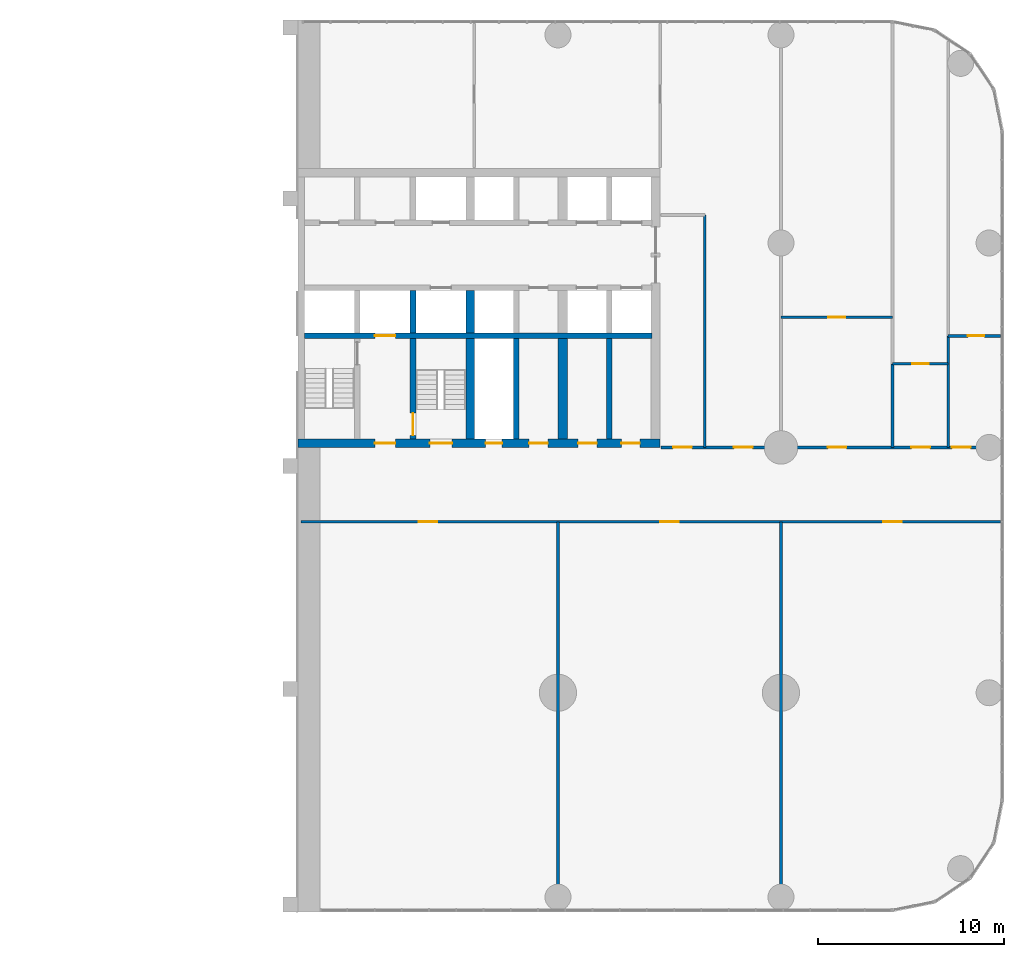
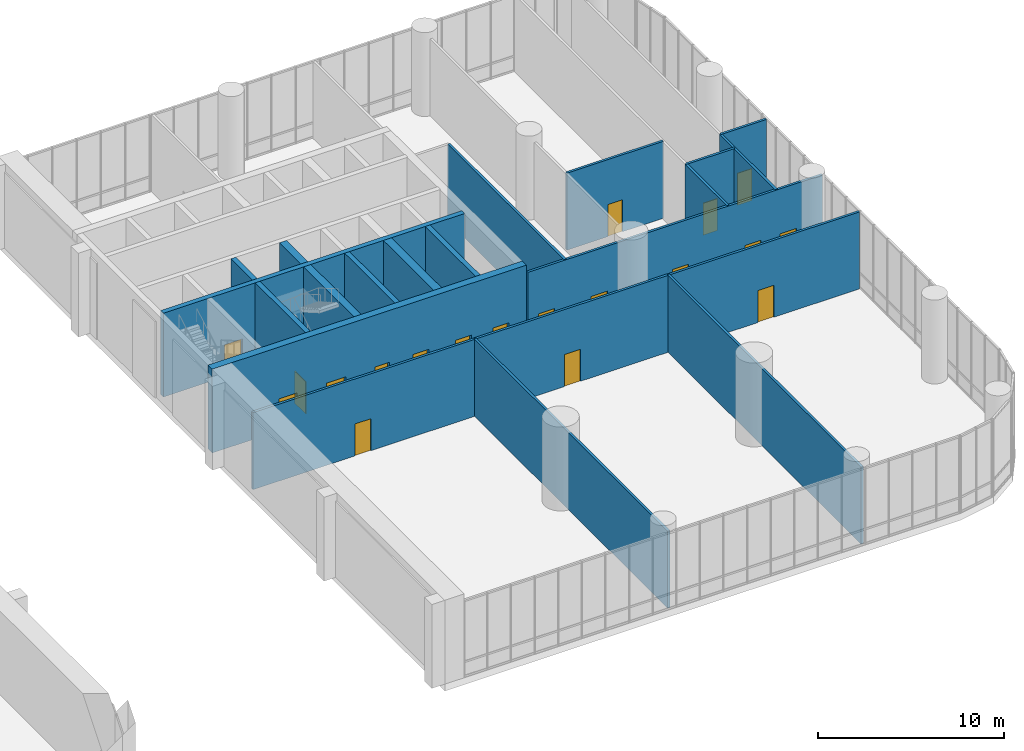
# One storey, part 24 of 28: 19 doors, 19 walls, 19 openings.
"""IFC4 building model written with IfcOpenShell, lengths in metres."""

from ifc_helpers import new_model, si_unit, direction, frame, frame_2d, origin, place, context, subcontext, project, spatial, rectangle, extrude, material, layer, layer_set, type_object, element, fill, save


model = new_model("IFC4")

# Units and contexts
model_context = context("Model", 3, precision=1e-05, world=origin(), true_north=direction((0.0, 1.0)))
body_context = subcontext(model_context, "Body", "Model", "MODEL_VIEW")
ifc_project = project(units=[si_unit("LENGTHUNIT", "METRE"), si_unit("AREAUNIT", "SQUARE_METRE"), si_unit("VOLUMEUNIT", "CUBIC_METRE"), si_unit("PLANEANGLEUNIT", "RADIAN"), si_unit("MASSUNIT", "GRAM", prefix="KILO")], contexts=[model_context])

# Site, building, storey
site_placement = place(None, origin())
site = spatial("IfcSite", under=ifc_project, at=site_placement, CompositionType="ELEMENT")
building_placement = place(site_placement, origin())
building = spatial("IfcBuilding", under=site, at=building_placement, Name="Torana Hotel and Residences", CompositionType="ELEMENT")
storey_placement = place(building_placement, frame((0.0, 0.0, 7.0)))
storey = spatial("IfcBuildingStorey", under=building, at=storey_placement, Name="L01", CompositionType="ELEMENT", Elevation=7.0)

# Wall, opening, door
ifc_material_1 = material(Name="Concrete C80/95", Category="concrete")
ifc_layer_1 = layer(ifc_material_1, 0.300048828125)
ifc_layer_set_1 = layer_set([ifc_layer_1], Name="CORE WALL 300 C80/95")
wall_type_1 = type_object("IfcWallType", Name="CORE WALL 300 C80/95", PredefinedType="SHEAR", material=ifc_layer_set_1)
wall_1_placement = place(storey_placement, frame((10.35009765625, -9.0, 0.0), z_axis=(0.0, 0.0, 1.0), x_axis=(1.0, 0.0, 0.0)))
wall_1 = element("IfcWall", 1, at=wall_1_placement, inside=storey, type_object=wall_type_1, Name="Core wall E band", PredefinedType="SHEAR", context=body_context, shape_type="SweptSolid", body=[
    extrude(rectangle(XDim=18.699951171875, YDim=0.300048828125, at=frame_2d((9.35009765625, 0.0))), origin(), (0.0, 0.0, 1.0), 5.5),
])
opening_1_placement = place(wall_1_placement, frame((3.800048828125, 0.0, 0.0)))
opening_1 = element("IfcOpeningElement", 2, at=opening_1_placement, cuts=wall_1, Name="Opening LD", PredefinedType="OPENING", context=body_context, shape_type="SweptSolid", body=[
    extrude(rectangle(XDim=1.10009765625, YDim=2.10009765625, at=frame_2d((0.550048828125, 1.050048828125))), frame((0.0, 0.159912109375, 0.0), z_axis=(0.0, -1.0, 0.0), x_axis=(1.0, 0.0, 0.0)), (0.0, 0.0, 1.0), 0.320068359375),
])
ifc_material_2 = material(Name="Stainless steel 316", Category="steel")
door_type_1 = type_object("IfcDoorType", Name="LIFT LANDING DOOR LD 1100x2100", OperationType="DOUBLE_DOOR_SLIDING", PredefinedType="USERDEFINED", material=ifc_material_2)
door_1_placement = place(opening_1_placement, origin())
door_1 = element("IfcDoor", 3, at=door_1_placement, inside=storey, type_object=door_type_1, Name="Lift landing door FF2 L01", ObjectType="LIFT LANDING DOOR", OperationType="DOUBLE_DOOR_SLIDING", OverallHeight=2.10009765625, OverallWidth=1.10009765625, PredefinedType="USERDEFINED", context=body_context, shape_type="SweptSolid", body=[
    extrude(rectangle(XDim=1.10009765625, YDim=2.10009765625, at=frame_2d((0.550048828125, 1.050048828125))), frame((0.0, 0.02490234375, 0.0), z_axis=(0.0, -1.0, 0.0), x_axis=(1.0, 0.0, 0.0)), (0.0, 0.0, 1.0), 0.050048828125),
])
fill(opening_1, door_1)

# Wall
wall_2_placement = place(storey_placement, frame((16.199951171875, -8.85009765625, 0.0), z_axis=(0.0, 0.0, 1.0), x_axis=(0.0, 1.0, 0.0)))
element("IfcWall", 4, at=wall_2_placement, inside=storey, type_object=wall_type_1, Name="Core wall E x6.05-S", PredefinedType="SHEAR", context=body_context, shape_type="SweptSolid", body=[
    extrude(rectangle(XDim=2.300048828125, YDim=0.300048828125, at=frame_2d((1.14990234375, 0.0))), origin(), (0.0, 0.0, 1.0), 5.5),
])

# Wall, opening, door
wall_3_placement = place(storey_placement, frame((16.199951171875, -14.550048828125, 0.0), z_axis=(0.0, 0.0, 1.0), x_axis=(0.0, 1.0, 0.0)))
wall_3 = element("IfcWall", 5, at=wall_3_placement, inside=storey, type_object=wall_type_1, Name="Core wall E x6.05-band", PredefinedType="SHEAR", context=body_context, shape_type="SweptSolid", body=[
    extrude(rectangle(XDim=5.400146484375, YDim=0.300048828125, at=frame_2d((2.7001953125, 0.0))), origin(), (0.0, 0.0, 1.0), 5.5),
])
opening_2_placement = place(wall_3_placement, frame((0.199951171875, 0.0, 0.0)))
opening_2 = element("IfcOpeningElement", 6, at=opening_2_placement, cuts=wall_3, Name="Opening L01-30", PredefinedType="OPENING", context=body_context, shape_type="SweptSolid", body=[
    extrude(rectangle(XDim=1.199951171875, YDim=2.10009765625, at=frame_2d((0.60009765625, 1.050048828125))), frame((0.0, 0.159912109375, 0.0), z_axis=(0.0, -1.0, 0.0), x_axis=(1.0, 0.0, 0.0)), (0.0, 0.0, 1.0), 0.320068359375),
])
ifc_material_3 = material(Name="Steel S235", Category="steel")
door_type_2 = type_object("IfcDoorType", Name="STAIR FIRE DOOR D3 1200x2100", OperationType="SINGLE_SWING_LEFT", PredefinedType="DOOR", material=ifc_material_3)
door_2_placement = place(opening_2_placement, frame((0.60009765625, 0.0, 0.0), z_axis=(0.0, 0.0, 1.0), x_axis=(-1.0, 0.0, 0.0)))
door_2 = element("IfcDoor", 7, at=door_2_placement, inside=storey, type_object=door_type_2, Name="Stair-B-lobby door L01", OperationType="SINGLE_SWING_LEFT", OverallHeight=2.10009765625, OverallWidth=1.199951171875, PredefinedType="DOOR", context=body_context, shape_type="SweptSolid", body=[
    extrude(rectangle(XDim=1.199951171875, YDim=2.10009765625, at=frame_2d((0.0, 1.050048828125))), frame((0.0, -0.02490234375, 0.0), z_axis=(0.0, 1.0, 0.0), x_axis=(-1.0, 0.0, 0.0)), (0.0, 0.0, 1.0), 0.050048828125),
])
fill(opening_2, door_2)

# Walls
for number, where, z_axis, x_axis, name in (
    (8, (21.75, -14.550048828125, 0.0), (0.0, 0.0, 1.0), (0.0, 1.0, 0.0), "Core wall E mm-band"),
    (9, (26.75, -14.550048828125, 0.0), (0.0, 0.0, 1.0), (0.0, 1.0, 0.0), "Core wall E ll-band"),
):
    element("IfcWall", number, at=place(storey_placement, frame(where, z_axis=z_axis, x_axis=x_axis)), inside=storey, type_object=wall_type_1, Name=name, PredefinedType="SHEAR", context=body_context, shape_type="SweptSolid", body=[
        extrude(rectangle(XDim=5.400146484375, YDim=0.300048828125, at=frame_2d((2.7001953125, 0.0))), origin(), (0.0, 0.0, 1.0), 5.5),
    ])

# Wall, openings, doors
ifc_material_4 = material(Name="Concrete C80/95", Category="concrete")
ifc_layer_2 = layer(ifc_material_4, 0.449951171875)
ifc_layer_set_2 = layer_set([ifc_layer_2], Name="CORE WALL 450 C80/95")
wall_type_2 = type_object("IfcWallType", Name="CORE WALL 450 C80/95", PredefinedType="SHEAR", material=ifc_layer_set_2)
wall_4_placement = place(storey_placement, frame((10.0, -14.77490234375, 0.0), z_axis=(0.0, 0.0, 1.0), x_axis=(1.0, 0.0, 0.0)))
wall_4 = element("IfcWall", 10, at=wall_4_placement, inside=storey, type_object=wall_type_2, Name="Core wall E front", PredefinedType="SHEAR", context=body_context, shape_type="SweptSolid", body=[
    extrude(rectangle(XDim=19.5, YDim=0.449951171875, at=frame_2d((9.75, 0.0))), origin(), (0.0, 0.0, 1.0), 5.5),
])
opening_3_placement = place(wall_4_placement, frame((7.10009765625, 0.0, 0.0)))
opening_3 = element("IfcOpeningElement", 11, at=opening_3_placement, cuts=wall_4, Name="Opening L01-18", PredefinedType="OPENING", context=body_context, shape_type="SweptSolid", body=[
    extrude(rectangle(XDim=1.199951171875, YDim=2.10009765625, at=frame_2d((0.60009765625, 1.050048828125))), frame((0.0, 0.23486328125, 0.0), z_axis=(0.0, -1.0, 0.0), x_axis=(1.0, 0.0, 0.0)), (0.0, 0.0, 1.0), 0.469970703125),
])
opening_4_placement = place(wall_4_placement, frame((4.14990234375, 0.0, 0.0)))
opening_4 = element("IfcOpeningElement", 12, at=opening_4_placement, cuts=wall_4, Name="Opening L01-19", PredefinedType="OPENING", context=body_context, shape_type="SweptSolid", body=[
    extrude(rectangle(XDim=1.10009765625, YDim=2.10009765625, at=frame_2d((0.550048828125, 1.050048828125))), frame((0.0, 0.23486328125, 0.0), z_axis=(0.0, -1.0, 0.0), x_axis=(1.0, 0.0, 0.0)), (0.0, 0.0, 1.0), 0.469970703125),
])
opening_5_placement = place(wall_4_placement, frame((10.10009765625, 0.0, 0.0)))
opening_5 = element("IfcOpeningElement", 13, at=opening_5_placement, cuts=wall_4, Name="Opening L01-20", PredefinedType="OPENING", context=body_context, shape_type="SweptSolid", body=[
    extrude(rectangle(XDim=0.89990234375, YDim=2.10009765625, at=frame_2d((0.449951171875, 1.050048828125))), frame((0.0, 0.23486328125, 0.0), z_axis=(0.0, -1.0, 0.0), x_axis=(1.0, 0.0, 0.0)), (0.0, 0.0, 1.0), 0.469970703125),
])
opening_6_placement = place(wall_4_placement, frame((12.449951171875, 0.0, 0.0)))
opening_6 = element("IfcOpeningElement", 14, at=opening_6_placement, cuts=wall_4, Name="Opening L01-21", PredefinedType="OPENING", context=body_context, shape_type="SweptSolid", body=[
    extrude(rectangle(XDim=1.0, YDim=2.10009765625, at=frame_2d((0.5, 1.050048828125))), frame((0.0, 0.23486328125, 0.0), z_axis=(0.0, -1.0, 0.0), x_axis=(1.0, 0.0, 0.0)), (0.0, 0.0, 1.0), 0.469970703125),
])
opening_7_placement = place(wall_4_placement, frame((15.08740234375, 0.0, 0.0)))
opening_7 = element("IfcOpeningElement", 15, at=opening_7_placement, cuts=wall_4, Name="Opening L01-22", PredefinedType="OPENING", context=body_context, shape_type="SweptSolid", body=[
    extrude(rectangle(XDim=1.0, YDim=2.10009765625, at=frame_2d((0.5, 1.050048828125))), frame((0.0, 0.23486328125, 0.0), z_axis=(0.0, -1.0, 0.0), x_axis=(1.0, 0.0, 0.0)), (0.0, 0.0, 1.0), 0.469970703125),
])
opening_8_placement = place(wall_4_placement, frame((17.41259765625, 0.0, 0.0)))
opening_8 = element("IfcOpeningElement", 16, at=opening_8_placement, cuts=wall_4, Name="Opening L01-23", PredefinedType="OPENING", context=body_context, shape_type="SweptSolid", body=[
    extrude(rectangle(XDim=1.0, YDim=2.10009765625, at=frame_2d((0.5, 1.050048828125))), frame((0.0, 0.23486328125, 0.0), z_axis=(0.0, -1.0, 0.0), x_axis=(1.0, 0.0, 0.0)), (0.0, 0.0, 1.0), 0.469970703125),
])
ifc_material_5 = material(Name="Steel S235", Category="steel")
door_type_3 = type_object("IfcDoorType", Name="CORE ROOM FIRE DOOR D14 1000x2100", OperationType="SINGLE_SWING_LEFT", PredefinedType="DOOR", material=ifc_material_5)
door_3_placement = place(opening_6_placement, origin())
door_3 = element("IfcDoor", 17, at=door_3_placement, inside=storey, type_object=door_type_3, Name="M-Room door L01", OperationType="SINGLE_SWING_RIGHT", OverallHeight=2.10009765625, OverallWidth=1.0, PredefinedType="DOOR", context=body_context, shape_type="SweptSolid", body=[
    extrude(rectangle(XDim=1.0, YDim=2.10009765625, at=frame_2d((0.5, 1.050048828125))), frame((0.0, 0.02490234375, 0.0), z_axis=(0.0, -1.0, 0.0), x_axis=(1.0, 0.0, 0.0)), (0.0, 0.0, 1.0), 0.050048828125),
])
fill(opening_6, door_3)
door_4_placement = place(opening_7_placement, origin())
door_4 = element("IfcDoor", 18, at=door_4_placement, inside=storey, type_object=door_type_3, Name="L-A door L01", OperationType="SINGLE_SWING_RIGHT", OverallHeight=2.10009765625, OverallWidth=1.0, PredefinedType="DOOR", context=body_context, shape_type="SweptSolid", body=[
    extrude(rectangle(XDim=1.0, YDim=2.10009765625, at=frame_2d((0.5, 1.050048828125))), frame((0.0, 0.02490234375, 0.0), z_axis=(0.0, -1.0, 0.0), x_axis=(1.0, 0.0, 0.0)), (0.0, 0.0, 1.0), 0.050048828125),
])
fill(opening_7, door_4)
door_5_placement = place(opening_8_placement, origin())
door_5 = element("IfcDoor", 19, at=door_5_placement, inside=storey, type_object=door_type_3, Name="L-B door L01", OperationType="SINGLE_SWING_RIGHT", OverallHeight=2.10009765625, OverallWidth=1.0, PredefinedType="DOOR", context=body_context, shape_type="SweptSolid", body=[
    extrude(rectangle(XDim=1.0, YDim=2.10009765625, at=frame_2d((0.5, 1.050048828125))), frame((0.0, 0.02490234375, 0.0), z_axis=(0.0, -1.0, 0.0), x_axis=(1.0, 0.0, 0.0)), (0.0, 0.0, 1.0), 0.050048828125),
])
fill(opening_8, door_5)
ifc_material_6 = material(Name="Steel S235", Category="steel")
door_type_4 = type_object("IfcDoorType", Name="FIRE-FIGHTING LOBBY DOOR D8 1100x2100", OperationType="SINGLE_SWING_LEFT", PredefinedType="DOOR", material=ifc_material_6)
door_6_placement = place(opening_4_placement, origin())
door_6 = element("IfcDoor", 20, at=door_6_placement, inside=storey, type_object=door_type_4, Name="FF-lobby door L01", OperationType="SINGLE_SWING_RIGHT", OverallHeight=2.10009765625, OverallWidth=1.10009765625, PredefinedType="DOOR", context=body_context, shape_type="SweptSolid", body=[
    extrude(rectangle(XDim=1.10009765625, YDim=2.10009765625, at=frame_2d((0.550048828125, 1.050048828125))), frame((0.0, 0.02490234375, 0.0), z_axis=(0.0, -1.0, 0.0), x_axis=(1.0, 0.0, 0.0)), (0.0, 0.0, 1.0), 0.050048828125),
])
fill(opening_4, door_6)
ifc_material_7 = material(Name="Steel S235", Category="steel")
door_type_5 = type_object("IfcDoorType", Name="RISER ACCESS DOOR D5 900x2100", OperationType="SINGLE_SWING_LEFT", PredefinedType="DOOR", material=ifc_material_7)
door_7_placement = place(opening_5_placement, origin())
door_7 = element("IfcDoor", 21, at=door_7_placement, inside=storey, type_object=door_type_5, Name="M-Riser door L01", OperationType="SINGLE_SWING_RIGHT", OverallHeight=2.10009765625, OverallWidth=0.89990234375, PredefinedType="DOOR", context=body_context, shape_type="SweptSolid", body=[
    extrude(rectangle(XDim=0.89990234375, YDim=2.10009765625, at=frame_2d((0.449951171875, 1.050048828125))), frame((0.0, 0.02490234375, 0.0), z_axis=(0.0, -1.0, 0.0), x_axis=(1.0, 0.0, 0.0)), (0.0, 0.0, 1.0), 0.050048828125),
])
fill(opening_5, door_7)
door_8_placement = place(opening_3_placement, origin())
door_8 = element("IfcDoor", 22, at=door_8_placement, inside=storey, type_object=door_type_2, Name="Stair-B door L01", OperationType="SINGLE_SWING_RIGHT", OverallHeight=2.10009765625, OverallWidth=1.199951171875, PredefinedType="DOOR", context=body_context, shape_type="SweptSolid", body=[
    extrude(rectangle(XDim=1.199951171875, YDim=2.10009765625, at=frame_2d((0.60009765625, 1.050048828125))), frame((0.0, 0.02490234375, 0.0), z_axis=(0.0, -1.0, 0.0), x_axis=(1.0, 0.0, 0.0)), (0.0, 0.0, 1.0), 0.050048828125),
])
fill(opening_3, door_8)

# Walls
wall_5_placement = place(storey_placement, frame((19.27490234375, -8.85009765625, 0.0), z_axis=(0.0, 0.0, 1.0), x_axis=(0.0, 1.0, 0.0)))
element("IfcWall", 23, at=wall_5_placement, inside=storey, type_object=wall_type_2, Name="Core wall E hm-S", PredefinedType="SHEAR", context=body_context, shape_type="SweptSolid", body=[
    extrude(rectangle(XDim=2.300048828125, YDim=0.449951171875, at=frame_2d((1.14990234375, 0.0))), origin(), (0.0, 0.0, 1.0), 5.5),
])
wall_6_placement = place(storey_placement, frame((19.27490234375, -14.550048828125, 0.0), z_axis=(0.0, 0.0, 1.0), x_axis=(0.0, 1.0, 0.0)))
element("IfcWall", 24, at=wall_6_placement, inside=storey, type_object=wall_type_2, Name="Core wall E hm-band", PredefinedType="SHEAR", context=body_context, shape_type="SweptSolid", body=[
    extrude(rectangle(XDim=5.400146484375, YDim=0.449951171875, at=frame_2d((2.7001953125, 0.0))), origin(), (0.0, 0.0, 1.0), 5.5),
])
ifc_material_8 = material(Name="Concrete C80/95", Category="concrete")
ifc_layer_3 = layer(ifc_material_8, 0.5)
ifc_layer_set_3 = layer_set([ifc_layer_3], Name="CORE WALL 500 C80/95")
wall_type_3 = type_object("IfcWallType", Name="CORE WALL 500 C80/95", PredefinedType="SHEAR", material=ifc_layer_set_3)
wall_7_placement = place(storey_placement, frame((24.25, -14.550048828125, 0.0), z_axis=(0.0, 0.0, 1.0), x_axis=(0.0, 1.0, 0.0)))
element("IfcWall", 25, at=wall_7_placement, inside=storey, type_object=wall_type_3, Name="Core wall E ml-band", PredefinedType="SHEAR", context=body_context, shape_type="SweptSolid", body=[
    extrude(rectangle(XDim=5.400146484375, YDim=0.5, at=frame_2d((2.7001953125, 0.0))), origin(), (0.0, 0.0, 1.0), 5.5),
])
ifc_material_9 = material(Name="Gypsum plaster")
ifc_layer_4 = layer(ifc_material_9, 0.014892578125, Name="Plaster", Category="finish")
ifc_material_10 = material(Name="Concrete blockwork", Category="masonry")
ifc_layer_5 = layer(ifc_material_10, 0.1201171875, Name="Blockwork", Category="structure")
ifc_layer_6 = layer(ifc_material_9, 0.014892578125, Name="Plaster", Category="finish")
ifc_layer_set_4 = layer_set([ifc_layer_4, ifc_layer_5, ifc_layer_6], Name="FIRE PARTITION 150 BLOCKWORK")
wall_type_4 = type_object("IfcWallType", Name="FIRE PARTITION 150 BLOCKWORK", PredefinedType="PARTITIONING", material=ifc_layer_set_4)
wall_8_placement = place(storey_placement, frame((31.89990234375, -15.0, 0.0), z_axis=(0.0, 0.0, 1.0), x_axis=(0.0, 1.0, 0.0)))
element("IfcWall", 26, at=wall_8_placement, inside=storey, type_object=wall_type_4, Name="Partition L01", PredefinedType="PARTITIONING", context=body_context, shape_type="SweptSolid", body=[
    extrude(rectangle(XDim=12.5, YDim=0.14990234375, at=frame_2d((6.25, 0.0))), origin(), (0.0, 0.0, 1.0), 5.050048828125),
])

# Wall, openings, doors
wall_9_placement = place(storey_placement, frame((10.179931640625, -19.0, 0.0), z_axis=(0.0, 0.0, 1.0), x_axis=(1.0, 0.0, 0.0)))
wall_9 = element("IfcWall", 27, at=wall_9_placement, inside=storey, type_object=wall_type_4, Name="Partition L01", PredefinedType="PARTITIONING", context=body_context, shape_type="SweptSolid", body=[
    extrude(rectangle(XDim=37.64013671875, YDim=0.14990234375, at=frame_2d((18.820068359375, 0.0))), origin(), (0.0, 0.0, 1.0), 5.050048828125),
])
opening_9_placement = place(wall_9_placement, frame((31.320068359375, 0.0, 0.0)))
opening_9 = element("IfcOpeningElement", 28, at=opening_9_placement, cuts=wall_9, Name="Opening L01-31", PredefinedType="OPENING", context=body_context, shape_type="SweptSolid", body=[
    extrude(rectangle(XDim=1.0, YDim=2.10009765625, at=frame_2d((0.5, 1.050048828125))), frame((0.0, 0.0849609375, 0.0), z_axis=(0.0, -1.0, 0.0), x_axis=(1.0, 0.0, 0.0)), (0.0, 0.0, 1.0), 0.169921875),
])
opening_10_placement = place(wall_9_placement, frame((19.320068359375, 0.0, 0.0)))
opening_10 = element("IfcOpeningElement", 29, at=opening_10_placement, cuts=wall_9, Name="Opening L01-32", PredefinedType="OPENING", context=body_context, shape_type="SweptSolid", body=[
    extrude(rectangle(XDim=1.0, YDim=2.10009765625, at=frame_2d((0.5, 1.050048828125))), frame((0.0, 0.0849609375, 0.0), z_axis=(0.0, -1.0, 0.0), x_axis=(1.0, 0.0, 0.0)), (0.0, 0.0, 1.0), 0.169921875),
])
opening_11_placement = place(wall_9_placement, frame((6.320068359375, 0.0, 0.0)))
opening_11 = element("IfcOpeningElement", 30, at=opening_11_placement, cuts=wall_9, Name="Opening L01-33", PredefinedType="OPENING", context=body_context, shape_type="SweptSolid", body=[
    extrude(rectangle(XDim=1.0, YDim=2.10009765625, at=frame_2d((0.5, 1.050048828125))), frame((0.0, 0.0849609375, 0.0), z_axis=(0.0, -1.0, 0.0), x_axis=(1.0, 0.0, 0.0)), (0.0, 0.0, 1.0), 0.169921875),
])
ifc_material_11 = material(Name="Steel S235", Category="steel")
door_type_6 = type_object("IfcDoorType", Name="ENTRY FIRE DOOR D6 1000x2100", OperationType="SINGLE_SWING_LEFT", PredefinedType="DOOR", material=ifc_material_11)
door_9_placement = place(opening_9_placement, frame((0.5, 0.0, 0.0), z_axis=(0.0, 0.0, 1.0), x_axis=(-1.0, 0.0, 0.0)))
door_9 = element("IfcDoor", 31, at=door_9_placement, inside=storey, type_object=door_type_6, Name="Door L01", OperationType="SINGLE_SWING_LEFT", OverallHeight=2.10009765625, OverallWidth=1.0, PredefinedType="DOOR", context=body_context, shape_type="SweptSolid", body=[
    extrude(rectangle(XDim=1.0, YDim=2.10009765625, at=frame_2d((0.0, 1.050048828125))), frame((0.0, -0.02490234375, 0.0), z_axis=(0.0, 1.0, 0.0), x_axis=(-1.0, 0.0, 0.0)), (0.0, 0.0, 1.0), 0.050048828125),
])
fill(opening_9, door_9)
door_10_placement = place(opening_10_placement, frame((0.5, 0.0, 0.0), z_axis=(0.0, 0.0, 1.0), x_axis=(-1.0, 0.0, 0.0)))
door_10 = element("IfcDoor", 32, at=door_10_placement, inside=storey, type_object=door_type_6, Name="Door L01", OperationType="SINGLE_SWING_LEFT", OverallHeight=2.10009765625, OverallWidth=1.0, PredefinedType="DOOR", context=body_context, shape_type="SweptSolid", body=[
    extrude(rectangle(XDim=1.0, YDim=2.10009765625, at=frame_2d((0.0, 1.050048828125))), frame((0.0, -0.02490234375, 0.0), z_axis=(0.0, 1.0, 0.0), x_axis=(-1.0, 0.0, 0.0)), (0.0, 0.0, 1.0), 0.050048828125),
])
fill(opening_10, door_10)
door_11_placement = place(opening_11_placement, frame((0.5, 0.0, 0.0), z_axis=(0.0, 0.0, 1.0), x_axis=(-1.0, 0.0, 0.0)))
door_11 = element("IfcDoor", 33, at=door_11_placement, inside=storey, type_object=door_type_6, Name="Door L01", OperationType="SINGLE_SWING_LEFT", OverallHeight=2.10009765625, OverallWidth=1.0, PredefinedType="DOOR", context=body_context, shape_type="SweptSolid", body=[
    extrude(rectangle(XDim=1.0, YDim=2.10009765625, at=frame_2d((0.0, 1.050048828125))), frame((0.0, -0.02490234375, 0.0), z_axis=(0.0, 1.0, 0.0), x_axis=(-1.0, 0.0, 0.0)), (0.0, 0.0, 1.0), 0.050048828125),
])
fill(opening_11, door_11)

wall_10_placement = place(storey_placement, frame((29.550048828125, -15.0, 0.0), z_axis=(0.0, 0.0, 1.0), x_axis=(1.0, 0.0, 0.0)))
wall_10 = element("IfcWall", 34, at=wall_10_placement, inside=storey, type_object=wall_type_4, Name="Partition L01", PredefinedType="PARTITIONING", context=body_context, shape_type="SweptSolid", body=[
    extrude(rectangle(XDim=18.27001953125, YDim=0.14990234375, at=frame_2d((9.135009765625, 0.0))), origin(), (0.0, 0.0, 1.0), 5.050048828125),
])
opening_12_placement = place(wall_10_placement, frame((15.64990234375, 0.0, 0.0)))
opening_12 = element("IfcOpeningElement", 35, at=opening_12_placement, cuts=wall_10, Name="Opening L01-34", PredefinedType="OPENING", context=body_context, shape_type="SweptSolid", body=[
    extrude(rectangle(XDim=1.0, YDim=2.10009765625, at=frame_2d((0.5, 1.050048828125))), frame((0.0, 0.0849609375, 0.0), z_axis=(0.0, -1.0, 0.0), x_axis=(1.0, 0.0, 0.0)), (0.0, 0.0, 1.0), 0.169921875),
])
opening_13_placement = place(wall_10_placement, frame((13.469970703125, 0.0, 0.0)))
opening_13 = element("IfcOpeningElement", 36, at=opening_13_placement, cuts=wall_10, Name="Opening L01-35", PredefinedType="OPENING", context=body_context, shape_type="SweptSolid", body=[
    extrude(rectangle(XDim=1.0, YDim=2.10009765625, at=frame_2d((0.5, 1.050048828125))), frame((0.0, 0.0849609375, 0.0), z_axis=(0.0, -1.0, 0.0), x_axis=(1.0, 0.0, 0.0)), (0.0, 0.0, 1.0), 0.169921875),
])
opening_14_placement = place(wall_10_placement, frame((8.969970703125, 0.0, 0.0)))
opening_14 = element("IfcOpeningElement", 37, at=opening_14_placement, cuts=wall_10, Name="Opening L01-36", PredefinedType="OPENING", context=body_context, shape_type="SweptSolid", body=[
    extrude(rectangle(XDim=1.0, YDim=2.10009765625, at=frame_2d((0.5, 1.050048828125))), frame((0.0, 0.0849609375, 0.0), z_axis=(0.0, -1.0, 0.0), x_axis=(1.0, 0.0, 0.0)), (0.0, 0.0, 1.0), 0.169921875),
])
opening_15_placement = place(wall_10_placement, frame((3.919921875, 0.0, 0.0)))
opening_15 = element("IfcOpeningElement", 38, at=opening_15_placement, cuts=wall_10, Name="Opening L01-37", PredefinedType="OPENING", context=body_context, shape_type="SweptSolid", body=[
    extrude(rectangle(XDim=1.0, YDim=2.10009765625, at=frame_2d((0.5, 1.050048828125))), frame((0.0, 0.0849609375, 0.0), z_axis=(0.0, -1.0, 0.0), x_axis=(1.0, 0.0, 0.0)), (0.0, 0.0, 1.0), 0.169921875),
])
opening_16_placement = place(wall_10_placement, frame((0.64990234375, 0.0, 0.0)))
opening_16 = element("IfcOpeningElement", 39, at=opening_16_placement, cuts=wall_10, Name="Opening L01-38", PredefinedType="OPENING", context=body_context, shape_type="SweptSolid", body=[
    extrude(rectangle(XDim=1.0, YDim=2.10009765625, at=frame_2d((0.5, 1.050048828125))), frame((0.0, 0.0849609375, 0.0), z_axis=(0.0, -1.0, 0.0), x_axis=(1.0, 0.0, 0.0)), (0.0, 0.0, 1.0), 0.169921875),
])
door_12_placement = place(opening_12_placement, origin())
door_12 = element("IfcDoor", 40, at=door_12_placement, inside=storey, type_object=door_type_3, Name="Door L01", OperationType="SINGLE_SWING_RIGHT", OverallHeight=2.10009765625, OverallWidth=1.0, PredefinedType="DOOR", context=body_context, shape_type="SweptSolid", body=[
    extrude(rectangle(XDim=1.0, YDim=2.10009765625, at=frame_2d((0.5, 1.050048828125))), frame((0.0, 0.02490234375, 0.0), z_axis=(0.0, -1.0, 0.0), x_axis=(1.0, 0.0, 0.0)), (0.0, 0.0, 1.0), 0.050048828125),
])
fill(opening_12, door_12)
door_13_placement = place(opening_13_placement, origin())
door_13 = element("IfcDoor", 41, at=door_13_placement, inside=storey, type_object=door_type_3, Name="Door L01", OperationType="SINGLE_SWING_RIGHT", OverallHeight=2.10009765625, OverallWidth=1.0, PredefinedType="DOOR", context=body_context, shape_type="SweptSolid", body=[
    extrude(rectangle(XDim=1.0, YDim=2.10009765625, at=frame_2d((0.5, 1.050048828125))), frame((0.0, 0.02490234375, 0.0), z_axis=(0.0, -1.0, 0.0), x_axis=(1.0, 0.0, 0.0)), (0.0, 0.0, 1.0), 0.050048828125),
])
fill(opening_13, door_13)
door_14_placement = place(opening_14_placement, origin())
door_14 = element("IfcDoor", 42, at=door_14_placement, inside=storey, type_object=door_type_3, Name="Door L01", OperationType="SINGLE_SWING_RIGHT", OverallHeight=2.10009765625, OverallWidth=1.0, PredefinedType="DOOR", context=body_context, shape_type="SweptSolid", body=[
    extrude(rectangle(XDim=1.0, YDim=2.10009765625, at=frame_2d((0.5, 1.050048828125))), frame((0.0, 0.02490234375, 0.0), z_axis=(0.0, -1.0, 0.0), x_axis=(1.0, 0.0, 0.0)), (0.0, 0.0, 1.0), 0.050048828125),
])
fill(opening_14, door_14)
door_15_placement = place(opening_15_placement, origin())
door_15 = element("IfcDoor", 43, at=door_15_placement, inside=storey, type_object=door_type_3, Name="Door L01", OperationType="SINGLE_SWING_LEFT", OverallHeight=2.10009765625, OverallWidth=1.0, PredefinedType="DOOR", context=body_context, shape_type="SweptSolid", body=[
    extrude(rectangle(XDim=1.0, YDim=2.10009765625, at=frame_2d((0.5, 1.050048828125))), frame((0.0, 0.02490234375, 0.0), z_axis=(0.0, -1.0, 0.0), x_axis=(1.0, 0.0, 0.0)), (0.0, 0.0, 1.0), 0.050048828125),
])
fill(opening_15, door_15)
door_16_placement = place(opening_16_placement, origin())
door_16 = element("IfcDoor", 44, at=door_16_placement, inside=storey, type_object=door_type_6, Name="Door L01", OperationType="SINGLE_SWING_RIGHT", OverallHeight=2.10009765625, OverallWidth=1.0, PredefinedType="DOOR", context=body_context, shape_type="SweptSolid", body=[
    extrude(rectangle(XDim=1.0, YDim=2.10009765625, at=frame_2d((0.5, 1.050048828125))), frame((0.0, 0.02490234375, 0.0), z_axis=(0.0, -1.0, 0.0), x_axis=(1.0, 0.0, 0.0)), (0.0, 0.0, 1.0), 0.050048828125),
])
fill(opening_16, door_16)

# Walls
ifc_material_12 = material(Name="Gypsum plasterboard")
ifc_layer_7 = layer(ifc_material_12, 0.012451171875, Name="Plasterboard", Category="finish")
ifc_layer_8 = layer(ifc_material_12, 0.012451171875, Name="Plasterboard", Category="finish")
ifc_material_13 = material(Name="Steel S280GD", Category="steel")
ifc_layer_9 = layer(ifc_material_13, 0.10009765625, Name="Steel studs with mineral wool", Category="insulation")
ifc_layer_10 = layer(ifc_material_12, 0.012451171875, Name="Plasterboard", Category="finish")
ifc_layer_11 = layer(ifc_material_12, 0.012451171875, Name="Plasterboard", Category="finish")
ifc_layer_set_5 = layer_set([ifc_layer_7, ifc_layer_8, ifc_layer_9, ifc_layer_10, ifc_layer_11], Name="PARTITION 150 PLASTERBOARD")
wall_type_5 = type_object("IfcWallType", Name="PARTITION 150 PLASTERBOARD", PredefinedType="PARTITIONING", material=ifc_layer_set_5)
for number, where, z_axis, x_axis, name in (
    (45, (36.0, -39.820068359375, 0.0), (0.0, 0.0, 1.0), (0.0, 1.0, 0.0), "Partition L01"),
    (46, (24.0, -39.820068359375, 0.0), (0.0, 0.0, 1.0), (0.0, 1.0, 0.0), "Partition L01"),
):
    element("IfcWall", number, at=place(storey_placement, frame(where, z_axis=z_axis, x_axis=x_axis)), inside=storey, type_object=wall_type_5, Name=name, PredefinedType="PARTITIONING", context=body_context, shape_type="SweptSolid", body=[
        extrude(rectangle(XDim=20.820068359375, YDim=0.14990234375, at=frame_2d((10.41015625, 0.0))), origin(), (0.0, 0.0, 1.0), 5.050048828125),
    ])

# Wall, opening, door
wall_11_placement = place(storey_placement, frame((36.0, -8.0, 0.0), z_axis=(0.0, 0.0, 1.0), x_axis=(1.0, 0.0, 0.0)))
wall_11 = element("IfcWall", 47, at=wall_11_placement, inside=storey, type_object=wall_type_5, Name="Partition L01", PredefinedType="PARTITIONING", context=body_context, shape_type="SweptSolid", body=[
    extrude(rectangle(XDim=6.0, YDim=0.14990234375, at=frame_2d((3.0, 0.0))), origin(), (0.0, 0.0, 1.0), 5.050048828125),
])
opening_17_placement = place(wall_11_placement, frame((2.550048828125, 0.0, 0.0)))
opening_17 = element("IfcOpeningElement", 48, at=opening_17_placement, cuts=wall_11, Name="Opening L01-41", PredefinedType="OPENING", context=body_context, shape_type="SweptSolid", body=[
    extrude(rectangle(XDim=0.89990234375, YDim=2.10009765625, at=frame_2d((0.449951171875, 1.050048828125))), frame((0.0, 0.0849609375, 0.0), z_axis=(0.0, -1.0, 0.0), x_axis=(1.0, 0.0, 0.0)), (0.0, 0.0, 1.0), 0.169921875),
])
ifc_material_14 = material(Name="Timber door, oiled ash", Category="wood")
door_type_7 = type_object("IfcDoorType", Name="ROOM DOOR D7 900x2100", OperationType="SINGLE_SWING_LEFT", PredefinedType="DOOR", material=ifc_material_14)
door_17_placement = place(opening_17_placement, origin())
door_17 = element("IfcDoor", 49, at=door_17_placement, inside=storey, type_object=door_type_7, Name="Door L01", OperationType="SINGLE_SWING_RIGHT", OverallHeight=2.10009765625, OverallWidth=0.89990234375, PredefinedType="DOOR", context=body_context, shape_type="SweptSolid", body=[
    extrude(rectangle(XDim=0.89990234375, YDim=2.10009765625, at=frame_2d((0.449951171875, 1.050048828125))), frame((0.0, 0.02490234375, 0.0), z_axis=(0.0, -1.0, 0.0), x_axis=(1.0, 0.0, 0.0)), (0.0, 0.0, 1.0), 0.050048828125),
])
fill(opening_17, door_17)

# Walls
ifc_material_15 = material(Name="Ceramic tile on adhesive")
ifc_layer_12 = layer(ifc_material_15, 0.010009765625, Name="Wall tile", Category="finish")
ifc_material_16 = material(Name="Cement render")
ifc_layer_13 = layer(ifc_material_16, 0.010009765625, Name="Render", Category="finish")
ifc_layer_14 = layer(ifc_material_10, 0.110107421875, Name="Blockwork", Category="structure")
ifc_layer_15 = layer(ifc_material_16, 0.010009765625, Name="Render", Category="finish")
ifc_layer_16 = layer(ifc_material_15, 0.010009765625, Name="Wall tile", Category="finish")
ifc_layer_set_6 = layer_set([ifc_layer_12, ifc_layer_13, ifc_layer_14, ifc_layer_15, ifc_layer_16], Name="WC PARTITION 150")
wall_type_6 = type_object("IfcWallType", Name="WC PARTITION 150", PredefinedType="PLUMBINGWALL", material=ifc_layer_set_6)
wall_12_placement = place(storey_placement, frame((45.0, -15.0, 0.0), z_axis=(0.0, 0.0, 1.0), x_axis=(0.0, 1.0, 0.0)))
element("IfcWall", 50, at=wall_12_placement, inside=storey, type_object=wall_type_6, Name="Partition L01", PredefinedType="PLUMBINGWALL", context=body_context, shape_type="SweptSolid", body=[
    extrude(rectangle(XDim=6.0, YDim=0.14990234375, at=frame_2d((3.0, 0.0))), origin(), (0.0, 0.0, 1.0), 5.050048828125),
])
wall_13_placement = place(storey_placement, frame((42.0, -15.0, 0.0), z_axis=(0.0, 0.0, 1.0), x_axis=(0.0, 1.0, 0.0)))
element("IfcWall", 51, at=wall_13_placement, inside=storey, type_object=wall_type_6, Name="Partition L01", PredefinedType="PLUMBINGWALL", context=body_context, shape_type="SweptSolid", body=[
    extrude(rectangle(XDim=4.5, YDim=0.14990234375, at=frame_2d((2.25, 0.0))), origin(), (0.0, 0.0, 1.0), 5.050048828125),
])

# Wall, opening, door
wall_14_placement = place(storey_placement, frame((42.0, -10.5, 0.0), z_axis=(0.0, 0.0, 1.0), x_axis=(1.0, 0.0, 0.0)))
wall_14 = element("IfcWall", 52, at=wall_14_placement, inside=storey, type_object=wall_type_6, Name="Partition L01", PredefinedType="PLUMBINGWALL", context=body_context, shape_type="SweptSolid", body=[
    extrude(rectangle(XDim=3.0, YDim=0.14990234375, at=frame_2d((1.5, 0.0))), origin(), (0.0, 0.0, 1.0), 5.050048828125),
])
opening_18_placement = place(wall_14_placement, frame((1.050048828125, 0.0, 0.0)))
opening_18 = element("IfcOpeningElement", 53, at=opening_18_placement, cuts=wall_14, Name="Opening L01-40", PredefinedType="OPENING", context=body_context, shape_type="SweptSolid", body=[
    extrude(rectangle(XDim=0.89990234375, YDim=2.10009765625, at=frame_2d((0.449951171875, 1.050048828125))), frame((0.0, 0.0849609375, 0.0), z_axis=(0.0, -1.0, 0.0), x_axis=(1.0, 0.0, 0.0)), (0.0, 0.0, 1.0), 0.169921875),
])
door_18_placement = place(opening_18_placement, origin())
door_18 = element("IfcDoor", 54, at=door_18_placement, inside=storey, type_object=door_type_7, Name="Door L01", OperationType="SINGLE_SWING_RIGHT", OverallHeight=2.10009765625, OverallWidth=0.89990234375, PredefinedType="DOOR", context=body_context, shape_type="SweptSolid", body=[
    extrude(rectangle(XDim=0.89990234375, YDim=2.10009765625, at=frame_2d((0.449951171875, 1.050048828125))), frame((0.0, 0.02490234375, 0.0), z_axis=(0.0, -1.0, 0.0), x_axis=(1.0, 0.0, 0.0)), (0.0, 0.0, 1.0), 0.050048828125),
])
fill(opening_18, door_18)

wall_15_placement = place(storey_placement, frame((45.0, -9.0, 0.0), z_axis=(0.0, 0.0, 1.0), x_axis=(1.0, 0.0, 0.0)))
wall_15 = element("IfcWall", 55, at=wall_15_placement, inside=storey, type_object=wall_type_6, Name="Partition L01", PredefinedType="PLUMBINGWALL", context=body_context, shape_type="SweptSolid", body=[
    extrude(rectangle(XDim=2.820068359375, YDim=0.14990234375, at=frame_2d((1.41015625, 0.0))), origin(), (0.0, 0.0, 1.0), 5.050048828125),
])
opening_19_placement = place(wall_15_placement, frame((1.050048828125, 0.0, 0.0)))
opening_19 = element("IfcOpeningElement", 56, at=opening_19_placement, cuts=wall_15, Name="Opening L01-39", PredefinedType="OPENING", context=body_context, shape_type="SweptSolid", body=[
    extrude(rectangle(XDim=0.89990234375, YDim=2.10009765625, at=frame_2d((0.449951171875, 1.050048828125))), frame((0.0, 0.0849609375, 0.0), z_axis=(0.0, -1.0, 0.0), x_axis=(1.0, 0.0, 0.0)), (0.0, 0.0, 1.0), 0.169921875),
])
door_19_placement = place(opening_19_placement, origin())
door_19 = element("IfcDoor", 57, at=door_19_placement, inside=storey, type_object=door_type_7, Name="Door L01", OperationType="SINGLE_SWING_LEFT", OverallHeight=2.10009765625, OverallWidth=0.89990234375, PredefinedType="DOOR", context=body_context, shape_type="SweptSolid", body=[
    extrude(rectangle(XDim=0.89990234375, YDim=2.10009765625, at=frame_2d((0.449951171875, 1.050048828125))), frame((0.0, 0.02490234375, 0.0), z_axis=(0.0, -1.0, 0.0), x_axis=(1.0, 0.0, 0.0)), (0.0, 0.0, 1.0), 0.050048828125),
])
fill(opening_19, door_19)

save(model, "model.ifc")
